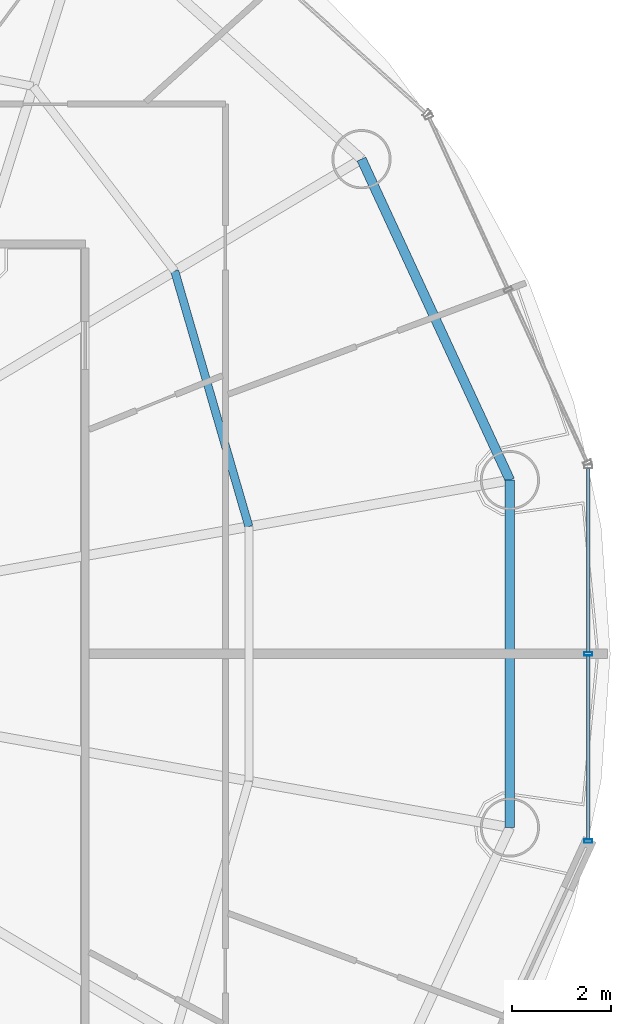
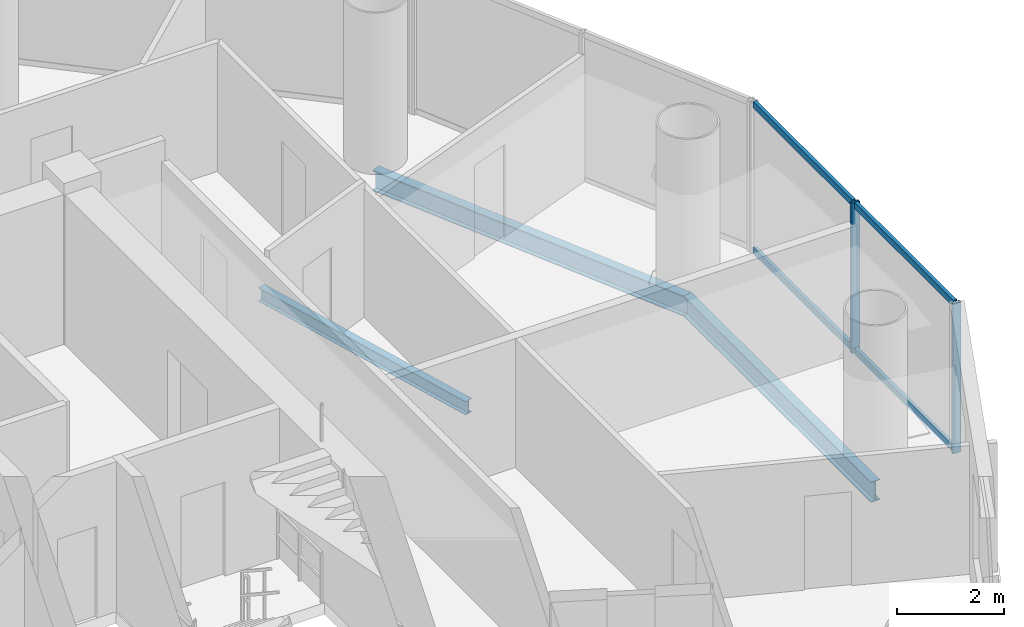
# One storey, part 12 of 26: 6 members, 3 beams, 1 element without a shape of its own.
"""IFC4 building model written with IfcOpenShell, lengths in metres."""

from ifc_helpers import new_model, si_unit, direction, frame, origin, origin_2d, place, context, subcontext, project, spatial, hollow_rectangle, i_section, extrude, source, transform, mapped, material, material_profile, profile_set, type_object, element, aggregate, save


model = new_model("IFC4")

# Units and contexts
model_context = context("Model", 3, precision=1e-05, world=origin(), true_north=direction((-0.2419218956, 0.970295726276)))
body_context = subcontext(model_context, "Body", "Model", "MODEL_VIEW")
ifc_project = project(units=[si_unit("LENGTHUNIT", "METRE"), si_unit("AREAUNIT", "SQUARE_METRE"), si_unit("VOLUMEUNIT", "CUBIC_METRE"), si_unit("PLANEANGLEUNIT", "RADIAN"), si_unit("MASSUNIT", "GRAM", prefix="KILO")], contexts=[model_context])

# Site, building, storey
site_placement = place(None, origin())
site = spatial("IfcSite", under=ifc_project, at=site_placement, CompositionType="ELEMENT")
building_placement = place(site_placement, origin())
building = spatial("IfcBuilding", under=site, at=building_placement, Name="Cobrevalo Terracotta Tower", CompositionType="ELEMENT")
storey_placement = place(building_placement, frame((0.0, 0.0, 217.10009765625)))
storey = spatial("IfcBuildingStorey", under=building, at=storey_placement, Name="L57", CompositionType="ELEMENT", Elevation=217.10009765625)

# Beams
ifc_material_1 = material(Name="Steel S355", Category="steel")
ifc_material_profile_1 = material_profile(ifc_material_1, i_section(OverallWidth=0.1650390625, OverallDepth=0.31005859375, WebThickness=0.005859375, FlangeThickness=0.009765625, at=origin_2d()), Name="W 310x38.7")
ifc_profile_set_1 = profile_set([ifc_material_profile_1], Name="Steel S355")
beam_type_1 = type_object("IfcBeamType", Name="Structural Joist W 310x38.7 (Steel S355)", PredefinedType="JOIST", material=ifc_profile_set_1)
beam_1_placement = place(storey_placement, frame((52.471435546875, 29.378662109375, -0.420166015625), z_axis=(-0.278769817131, 0.960357948401, 0.0), x_axis=(-0.960357948401, -0.278769817131, 0.0)))
element("IfcBeam", 1, at=beam_1_placement, inside=storey, type_object=beam_type_1, Name="L57 circumferential secondary floor joist 01", PredefinedType="JOIST", context=body_context, shape_type="SweptSolid", body=[
    extrude(i_section(OverallWidth=0.1650390625, OverallDepth=0.31005859375, WebThickness=0.005859375, FlangeThickness=0.009765625, at=origin_2d()), origin(), (0.0, 0.0, 1.0), 5.396484375),
])
ifc_material_profile_2 = material_profile(ifc_material_1, i_section(OverallWidth=0.194091796875, OverallDepth=0.468994140625, WebThickness=0.011474609375, FlangeThickness=0.0205078125, at=origin_2d()), Name="W 460x106")
ifc_profile_set_2 = profile_set([ifc_material_profile_2], Name="Steel S355")
beam_type_2 = type_object("IfcBeamType", Name="Structural Spandrel W 460x106 (Steel S355)", PredefinedType="SPANDREL", material=ifc_profile_set_2)
beam_2_placement = place(storey_placement, frame((57.762939453125, 30.3212890625, -0.49951171875), z_axis=(-0.419705965131, 0.907660125176, 0.0), x_axis=(-0.907660125176, -0.419705965131, 0.0)))
element("IfcBeam", 2, at=beam_2_placement, inside=storey, type_object=beam_type_2, Name="L57 perimeter ring spandrel 01", PredefinedType="SPANDREL", context=body_context, shape_type="SweptSolid", body=[
    extrude(i_section(OverallWidth=0.194091796875, OverallDepth=0.468994140625, WebThickness=0.011474609375, FlangeThickness=0.0205078125, at=origin_2d()), origin(), (0.0, 0.0, 1.0), 7.168701171875),
])
beam_3_placement = place(storey_placement, frame((57.762939453125, 23.278564453125, -0.49951171875), z_axis=(0.0, 1.0, 0.0), x_axis=(-1.0, 0.0, 0.0)))
element("IfcBeam", 3, at=beam_3_placement, inside=storey, type_object=beam_type_2, Name="L57 perimeter ring spandrel 16", PredefinedType="SPANDREL", context=body_context, shape_type="SweptSolid", body=[
    extrude(i_section(OverallWidth=0.194091796875, OverallDepth=0.468994140625, WebThickness=0.011474609375, FlangeThickness=0.0205078125, at=origin_2d()), origin(), (0.0, 0.0, 1.0), 7.042724609375),
])

# Curtain wall, members
ifc_material_2 = material(Name="Anodized aluminium", Category="aluminium")
curtain_wall_type = type_object("IfcCurtainWallType", Name="Mid-tower high-wind unitised curtain wall CW-U2", PredefinedType="NOTDEFINED", material=ifc_material_2)
curtain_wall_placement = place(storey_placement, origin())
curtain_wall = element("IfcCurtainWall", 4, at=curtain_wall_placement, inside=storey, type_object=curtain_wall_type, Name="L57 curtain wall CW-L57-S16", PredefinedType="NOTDEFINED")
ifc_material_profile_3 = material_profile(ifc_material_2, hollow_rectangle(XDim=0.074951171875, YDim=0.14990234375, WallThickness=0.00439453125, at=origin_2d()), Name="CWT 75x150")
ifc_profile_set_3 = profile_set([ifc_material_profile_3], Name="Anodized aluminium")
member_type_1 = type_object("IfcMemberType", Name="Tower unitised aluminium transom 75x150", PredefinedType="USERDEFINED", material=ifc_profile_set_3)
shared_shape_1 = source(origin(), body_context, "Body", "SweptSolid", [
    extrude(hollow_rectangle(XDim=0.074951171875, YDim=0.14990234375, WallThickness=0.00439453125, at=origin_2d()), origin(), (0.0, 0.0, 1.0), 3.71728515625),
])
member_1_placement = place(storey_placement, frame((59.351806640625, 26.840087890625, 0.0498046875), z_axis=(0.0, 1.0, 0.0), x_axis=(-1.0, 0.0, 0.0)))
member_1 = element("IfcMember", 5, at=member_1_placement, type_object=member_type_1, Name="CW-L57-S16 transom B02-T1", ObjectType="TRANSOM", PredefinedType="USERDEFINED", context=body_context, shape_type="MappedRepresentation", body=[
    mapped(shared_shape_1, transform((0.0, 0.0, 0.0), scale=1.0)),
])
member_2_placement = place(storey_placement, frame((59.351806640625, 26.840087890625, 3.385009765625), z_axis=(0.0, 1.0, 0.0), x_axis=(-1.0, 0.0, 0.0)))
member_2 = element("IfcMember", 6, at=member_2_placement, type_object=member_type_1, Name="CW-L57-S16 transom B02-T2", ObjectType="TRANSOM", PredefinedType="USERDEFINED", context=body_context, shape_type="MappedRepresentation", body=[
    mapped(shared_shape_1, transform((0.0, 0.0, 0.0), scale=1.0)),
])
shared_shape_2 = source(origin(), body_context, "Body", "SweptSolid", [
    extrude(hollow_rectangle(XDim=0.074951171875, YDim=0.14990234375, WallThickness=0.00439453125, at=origin_2d()), origin(), (0.0, 0.0, 1.0), 3.717529296875),
])
member_3_placement = place(storey_placement, frame((59.351806640625, 23.04248046875, 0.0498046875), z_axis=(0.0, 1.0, 0.0), x_axis=(-1.0, 0.0, 0.0)))
member_3 = element("IfcMember", 7, at=member_3_placement, type_object=member_type_1, Name="CW-L57-S16 transom B01-T1", ObjectType="TRANSOM", PredefinedType="USERDEFINED", context=body_context, shape_type="MappedRepresentation", body=[
    mapped(shared_shape_2, transform((0.0, 0.0, 0.0), scale=1.0)),
])
member_4_placement = place(storey_placement, frame((59.351806640625, 23.04248046875, 3.385009765625), z_axis=(0.0, 1.0, 0.0), x_axis=(-1.0, 0.0, 0.0)))
member_4 = element("IfcMember", 8, at=member_4_placement, type_object=member_type_1, Name="CW-L57-S16 transom B01-T2", ObjectType="TRANSOM", PredefinedType="USERDEFINED", context=body_context, shape_type="MappedRepresentation", body=[
    mapped(shared_shape_2, transform((0.0, 0.0, 0.0), scale=1.0)),
])
ifc_material_profile_4 = material_profile(ifc_material_2, hollow_rectangle(XDim=0.070068359375, YDim=0.169921875, WallThickness=0.00439453125, at=origin_2d()), Name="CWM 70x170")
ifc_profile_set_4 = profile_set([ifc_material_profile_4], Name="Anodized aluminium")
member_type_2 = type_object("IfcMemberType", Name="Upper tower unitised mullion 70x170", PredefinedType="MULLION", material=ifc_profile_set_4)
shared_shape_3 = source(origin(), body_context, "Body", "SweptSolid", [
    extrude(hollow_rectangle(XDim=0.070068359375, YDim=0.169921875, WallThickness=0.00439453125, at=origin_2d()), origin(), (0.0, 0.0, 1.0), 3.434814453125),
])
member_5_placement = place(storey_placement, frame((59.351806640625, 23.002685546875, 0.0), z_axis=(0.0, 0.0, 1.0), x_axis=(0.0, 1.0, 0.0)))
member_5 = element("IfcMember", 9, at=member_5_placement, type_object=member_type_2, Name="CW-L57-S16 vertical mullion 01", PredefinedType="MULLION", context=body_context, shape_type="MappedRepresentation", body=[
    mapped(shared_shape_3, transform((0.0, 0.0, 0.0), scale=1.0)),
])
member_6_placement = place(storey_placement, frame((59.351806640625, 26.800048828125, 0.0), z_axis=(0.0, 0.0, 1.0), x_axis=(0.0, 1.0, 0.0)))
member_6 = element("IfcMember", 10, at=member_6_placement, type_object=member_type_2, Name="CW-L57-S16 vertical mullion 02", PredefinedType="MULLION", context=body_context, shape_type="MappedRepresentation", body=[
    mapped(shared_shape_3, transform((0.0, 0.0, 0.0), scale=1.0)),
])
aggregate(curtain_wall, [member_5, member_6, member_3, member_4, member_1, member_2])

save(model, "model.ifc")
